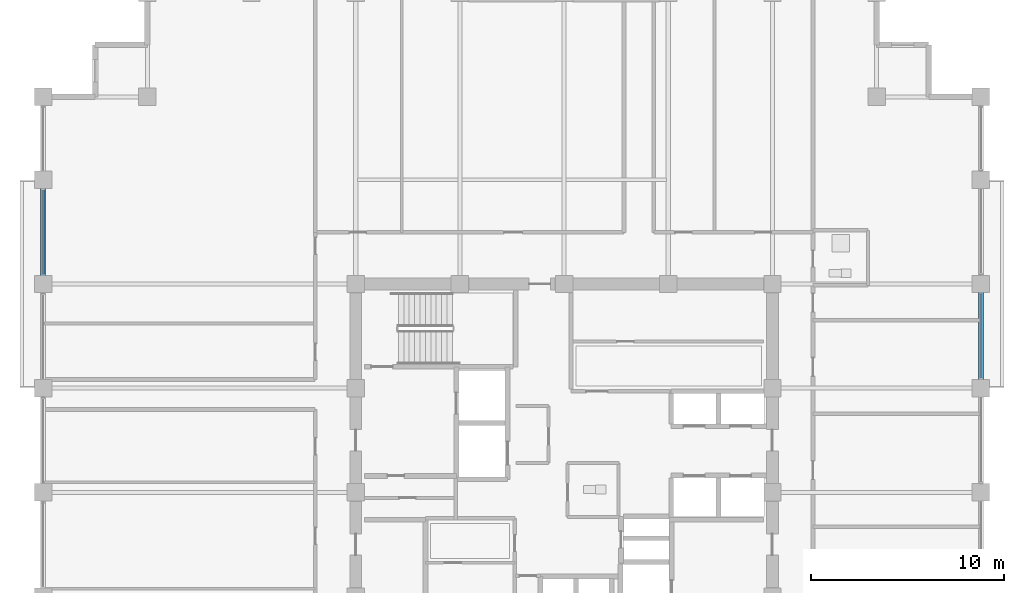
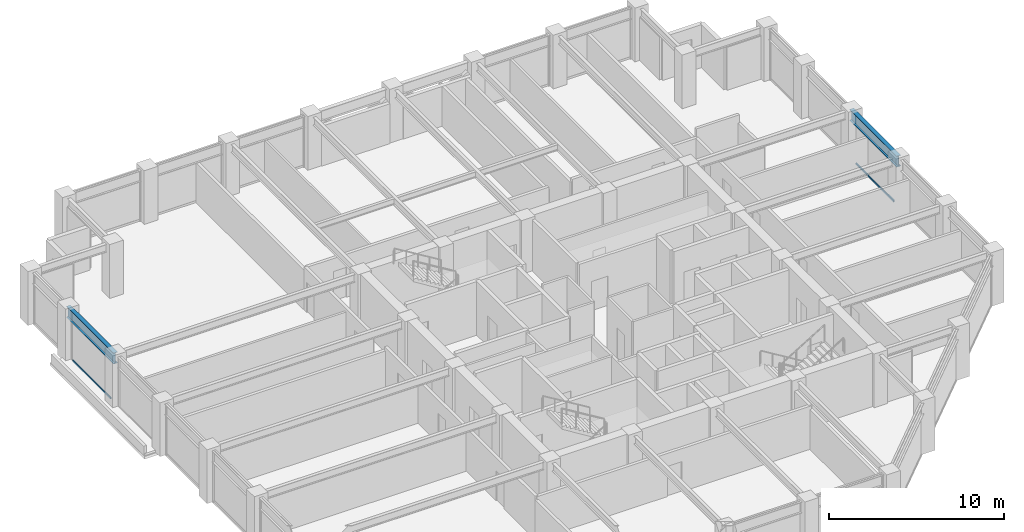
# One storey, part 15 of 31: 2 beams, 2 members, 2 elements without a shape of their own.
"""IFC4 building model written with IfcOpenShell, lengths in metres."""

from ifc_helpers import new_model, si_unit, direction, frame, origin, origin_2d, place, context, subcontext, project, spatial, hollow_rectangle, i_section, extrude, material, layer, layer_set, material_profile, profile_set, type_object, element, aggregate, save


model = new_model("IFC4")

# Units and contexts
model_context = context("Model", 3, precision=1e-05, world=origin(), true_north=direction((0.0, 1.0)))
body_context = subcontext(model_context, "Body", "Model", "MODEL_VIEW")
ifc_project = project(units=[si_unit("LENGTHUNIT", "METRE"), si_unit("AREAUNIT", "SQUARE_METRE"), si_unit("VOLUMEUNIT", "CUBIC_METRE"), si_unit("PLANEANGLEUNIT", "RADIAN"), si_unit("MASSUNIT", "GRAM", prefix="KILO")], contexts=[model_context])

# Site, building, storey
site_placement = place(None, origin())
site = spatial("IfcSite", under=ifc_project, at=site_placement, CompositionType="ELEMENT")
building_placement = place(site_placement, origin())
building = spatial("IfcBuilding", under=site, at=building_placement, Name="Surkhivell Harbour Commons", CompositionType="ELEMENT")
storey_placement = place(building_placement, frame((0.0, 0.0, 193.5)))
storey = spatial("IfcBuildingStorey", under=building, at=storey_placement, Name="L50", CompositionType="ELEMENT", Elevation=193.5)

# Beams
ifc_material_1 = material(Name="Steel S355", Category="steel")
ifc_material_profile_1 = material_profile(ifc_material_1, i_section(OverallWidth=0.26806640625, OverallDepth=0.77001953125, WebThickness=0.015625, FlangeThickness=0.025390625, at=origin_2d()), Name="UB762x267x197")
ifc_profile_set_1 = profile_set([ifc_material_profile_1], Name="Steel S355")
beam_type = type_object("IfcBeamType", Name="BM-SPN-762", PredefinedType="SPANDREL", material=ifc_profile_set_1)
beam_1_placement = place(storey_placement, frame((-27.0, 10.800048828125, 3.18505859375), z_axis=(0.0, 1.0, 0.0), x_axis=(-1.0, 0.0, 0.0)))
element("IfcBeam", 1, at=beam_1_placement, inside=storey, type_object=beam_type, Name="L50 Tube Spandrel (-27.0,10.8)", PredefinedType="SPANDREL", context=body_context, shape_type="SweptSolid", body=[
    extrude(i_section(OverallWidth=0.26806640625, OverallDepth=0.77001953125, WebThickness=0.015625, FlangeThickness=0.025390625, at=origin_2d()), origin(), (0.0, 0.0, 1.0), 5.39990234375),
])
beam_2_placement = place(storey_placement, frame((21.60009765625, 5.39990234375, 3.18505859375), z_axis=(0.0, 1.0, 0.0), x_axis=(-1.0, 0.0, 0.0)))
element("IfcBeam", 2, at=beam_2_placement, inside=storey, type_object=beam_type, Name="L50 Tube Spandrel (21.6,5.4)", PredefinedType="SPANDREL", context=body_context, shape_type="SweptSolid", body=[
    extrude(i_section(OverallWidth=0.26806640625, OverallDepth=0.77001953125, WebThickness=0.015625, FlangeThickness=0.025390625, at=origin_2d()), origin(), (0.0, 0.0, 1.0), 5.400146484375),
])

# Curtain wall, member
ifc_material_2 = material(Name="Anodised pale-metal aluminium and insulated glazing", Category="aluminium")
ifc_layer = layer(ifc_material_2, 0.18994140625)
ifc_layer_set = layer_set([ifc_layer], Name="Anodised pale-metal aluminium and insulated glazing")
curtain_wall_type = type_object("IfcCurtainWallType", Name="CW-SYS-Z3", PredefinedType="NOTDEFINED", material=ifc_layer_set)
curtain_wall_1_placement = place(storey_placement, origin())
curtain_wall_1 = element("IfcCurtainWall", 3, at=curtain_wall_1_placement, inside=storey, type_object=curtain_wall_type, Name="L50 Curtain Wall CW-L50-E02", PredefinedType="NOTDEFINED")
ifc_material_3 = material(Name="Champagne anodised aluminium alloy 6063-T6", Category="aluminium")
ifc_material_profile_2 = material_profile(ifc_material_3, hollow_rectangle(XDim=0.070068359375, YDim=0.1298828125, WallThickness=0.00341796875, at=origin_2d()), Name="ALU-TRAN-70x130")
ifc_profile_set_2 = profile_set([ifc_material_profile_2], Name="Champagne anodised aluminium alloy 6063-T6")
member_type = type_object("IfcMemberType", Name="CWT-130", PredefinedType="USERDEFINED", material=ifc_profile_set_2)
member_1_placement = place(storey_placement, frame((21.60009765625, 5.927001953125, 0.06494140625), z_axis=(0.0, 1.0, 0.0), x_axis=(-1.0, 0.0, 0.0)))
member_1 = element("IfcMember", 4, at=member_1_placement, type_object=member_type, Name="CW-Z3 transom 3.1", ObjectType="TRANSOM", PredefinedType="USERDEFINED", context=body_context, shape_type="SweptSolid", body=[
    extrude(hollow_rectangle(XDim=0.070068359375, YDim=0.1298828125, WallThickness=0.00341796875, at=origin_2d()), origin(), (0.0, 0.0, 1.0), 4.345947265625),
])
aggregate(curtain_wall_1, [member_1])

curtain_wall_2_placement = place(storey_placement, origin())
curtain_wall_2 = element("IfcCurtainWall", 5, at=curtain_wall_2_placement, inside=storey, type_object=curtain_wall_type, Name="L50 Curtain Wall CW-L50-E12S1", PredefinedType="NOTDEFINED")
member_2_placement = place(storey_placement, frame((-27.0, 15.673095703125, 0.06494140625), z_axis=(0.0, -1.0, 0.0), x_axis=(1.0, 0.0, 0.0)))
member_2 = element("IfcMember", 6, at=member_2_placement, type_object=member_type, Name="CW-Z3 transom 2.1", ObjectType="TRANSOM", PredefinedType="USERDEFINED", context=body_context, shape_type="SweptSolid", body=[
    extrude(hollow_rectangle(XDim=0.070068359375, YDim=0.1298828125, WallThickness=0.00341796875, at=origin_2d()), origin(), (0.0, 0.0, 1.0), 4.34619140625),
])
aggregate(curtain_wall_2, [member_2])

save(model, "model.ifc")
